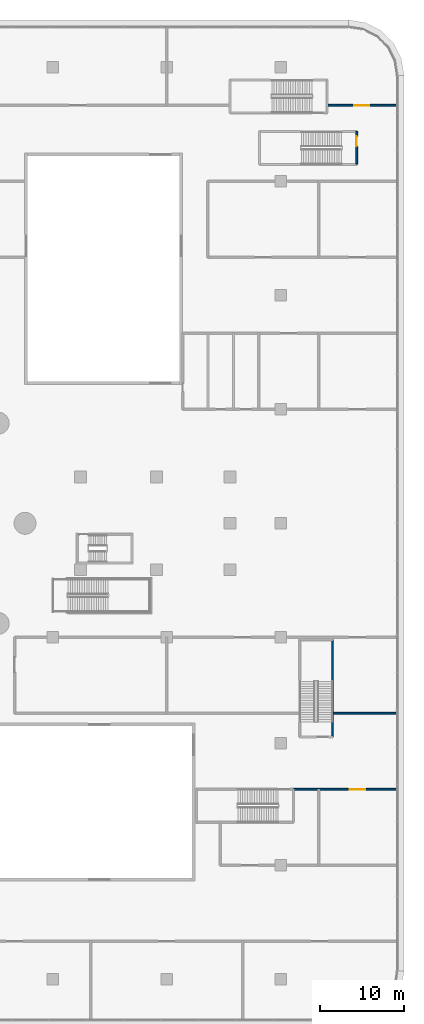
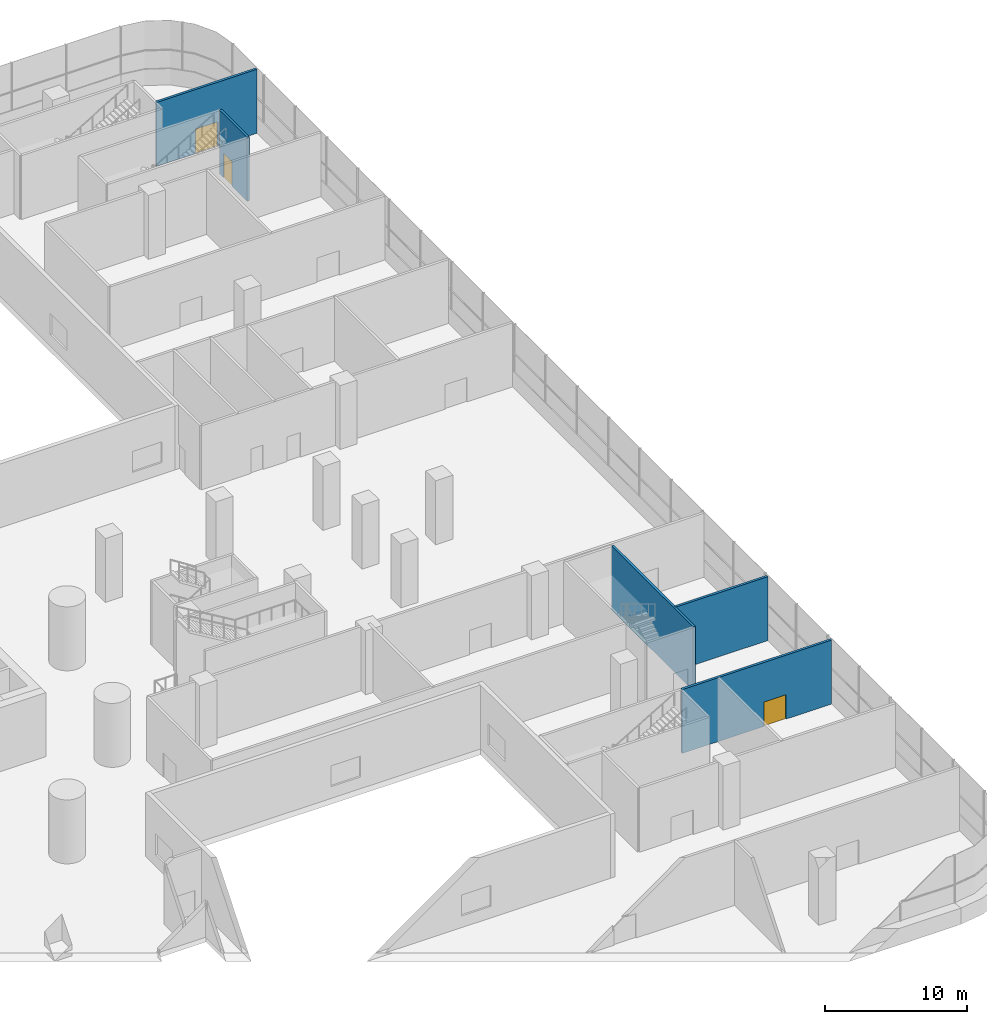
# One storey, part 35 of 52: 5 walls, 3 doors, 3 openings.
"""IFC4 building model written with IfcOpenShell, lengths in metres."""

from ifc_helpers import new_model, si_unit, direction, frame, frame_2d, origin, place, context, subcontext, project, spatial, rectangle, extrude, material, layer, layer_set, type_object, element, fill, save


model = new_model("IFC4")

# Units and contexts
model_context = context("Model", 3, precision=1e-05, world=origin(), true_north=direction((0.0, 1.0)))
body_context = subcontext(model_context, "Body", "Model", "MODEL_VIEW")
ifc_project = project(units=[si_unit("LENGTHUNIT", "METRE"), si_unit("AREAUNIT", "SQUARE_METRE"), si_unit("VOLUMEUNIT", "CUBIC_METRE"), si_unit("PLANEANGLEUNIT", "RADIAN"), si_unit("MASSUNIT", "GRAM", prefix="KILO")], contexts=[model_context])

# Site, building, storey
site_placement = place(None, origin())
site = spatial("IfcSite", under=ifc_project, at=site_placement, CompositionType="ELEMENT")
building_placement = place(site_placement, origin())
building = spatial("IfcBuilding", under=site, at=building_placement, Name="Tamarind Cross Interchange Tower", CompositionType="ELEMENT")
storey_placement = place(building_placement, frame((0.0, 0.0, 9.0)))
storey = spatial("IfcBuildingStorey", under=building, at=storey_placement, Name="L01", CompositionType="ELEMENT", Elevation=9.0)

# Wall, opening, door
ifc_material_1 = material(Name="Masonry partition, fire-rated", Category="masonry")
ifc_layer_1 = layer(ifc_material_1, 0.199951171875)
ifc_layer_set_1 = layer_set([ifc_layer_1], Name="Masonry partition, fire-rated")
wall_type_1 = type_object("IfcWallType", Name="Fire partition 200 EI 120", PredefinedType="PARTITIONING", material=ifc_layer_set_1)
wall_1_placement = place(storey_placement, frame((55.530029296875, -31.5, 0.0), z_axis=(0.0, 0.0, 1.0), x_axis=(1.0, 0.0, 0.0)))
wall_1 = element("IfcWall", 1, at=wall_1_placement, inside=storey, type_object=wall_type_1, Name="L01 partition 113", PredefinedType="PARTITIONING", context=body_context, shape_type="SweptSolid", body=[
    extrude(rectangle(XDim=12.1689453125, YDim=0.199951171875, at=frame_2d((6.08447265625, 0.0))), origin(), (0.0, 0.0, 1.0), 5.5),
])
opening_1_placement = place(wall_1_placement, frame((6.669921875, 0.0, 0.0)))
opening_1 = element("IfcOpeningElement", 2, at=opening_1_placement, cuts=wall_1, Name="Opening DL01-47", PredefinedType="OPENING", context=body_context, shape_type="SweptSolid", body=[
    extrude(rectangle(XDim=1.800048828125, YDim=2.10009765625, at=frame_2d((0.89990234375, 1.050048828125))), frame((0.0, 0.10986328125, 0.0), z_axis=(0.0, -1.0, 0.0), x_axis=(1.0, 0.0, 0.0)), (0.0, 0.0, 1.0), 0.219970703125),
])
ifc_material_2 = material(Name="Steel, fire-resisting", Category="steel")
door_type_1 = type_object("IfcDoorType", Name="Podium door 1800 x 2100 FD60", OperationType="SINGLE_SWING_LEFT", PredefinedType="DOOR", material=ifc_material_2)
door_1_placement = place(opening_1_placement, origin())
door_1 = element("IfcDoor", 3, at=door_1_placement, inside=storey, type_object=door_type_1, Name="L01 door Electronics Store 0132", OperationType="SINGLE_SWING_LEFT", OverallHeight=2.10009765625, OverallWidth=1.800048828125, PredefinedType="DOOR", context=body_context, shape_type="SweptSolid", body=[
    extrude(rectangle(XDim=1.800048828125, YDim=2.10009765625, at=frame_2d((0.89990234375, 1.050048828125))), frame((0.0, 0.02490234375, 0.0), z_axis=(0.0, -1.0, 0.0), x_axis=(1.0, 0.0, 0.0)), (0.0, 0.0, 1.0), 0.050048828125),
])
fill(opening_1, door_1)

wall_2_placement = place(storey_placement, frame((59.530029296875, 49.5, 0.0), z_axis=(0.0, 0.0, 1.0), x_axis=(1.0, 0.0, 0.0)))
wall_2 = element("IfcWall", 4, at=wall_2_placement, inside=storey, type_object=wall_type_1, Name="L01 partition 120", PredefinedType="PARTITIONING", context=body_context, shape_type="SweptSolid", body=[
    extrude(rectangle(XDim=8.1689453125, YDim=0.199951171875, at=frame_2d((4.08447265625, 0.0))), origin(), (0.0, 0.0, 1.0), 5.5),
])
opening_2_placement = place(wall_2_placement, frame((3.169921875, 0.0, 0.0)))
opening_2 = element("IfcOpeningElement", 5, at=opening_2_placement, cuts=wall_2, Name="Opening DL01-21", PredefinedType="OPENING", context=body_context, shape_type="SweptSolid", body=[
    extrude(rectangle(XDim=1.800048828125, YDim=2.10009765625, at=frame_2d((0.89990234375, 1.050048828125))), frame((0.0, 0.10986328125, 0.0), z_axis=(0.0, -1.0, 0.0), x_axis=(1.0, 0.0, 0.0)), (0.0, 0.0, 1.0), 0.219970703125),
])
door_2_placement = place(opening_2_placement, origin())
door_2 = element("IfcDoor", 6, at=door_2_placement, inside=storey, type_object=door_type_1, Name="L01 door Coffee Bar 0107", OperationType="SINGLE_SWING_LEFT", OverallHeight=2.10009765625, OverallWidth=1.800048828125, PredefinedType="DOOR", context=body_context, shape_type="SweptSolid", body=[
    extrude(rectangle(XDim=1.800048828125, YDim=2.10009765625, at=frame_2d((0.89990234375, 1.050048828125))), frame((0.0, 0.02490234375, 0.0), z_axis=(0.0, -1.0, 0.0), x_axis=(1.0, 0.0, 0.0)), (0.0, 0.0, 1.0), 0.050048828125),
])
fill(opening_2, door_2)

# Walls
wall_3_placement = place(storey_placement, frame((60.179931640625, -22.5, 0.0), z_axis=(0.0, 0.0, 1.0), x_axis=(1.0, 0.0, 0.0)))
element("IfcWall", 7, at=wall_3_placement, inside=storey, type_object=wall_type_1, Name="L01 partition 121", PredefinedType="PARTITIONING", context=body_context, shape_type="SweptSolid", body=[
    extrude(rectangle(XDim=7.51904296875, YDim=0.199951171875, at=frame_2d((3.759521484375, 0.0))), origin(), (0.0, 0.0, 1.0), 5.5),
])
ifc_material_3 = material(Name="Concrete C40", Category="concrete")
ifc_layer_2 = layer(ifc_material_3, 0.199951171875)
ifc_layer_set_2 = layer_set([ifc_layer_2], Name="Concrete C40")
wall_type_2 = type_object("IfcWallType", Name="Stair shaft wall 200 EI 180", PredefinedType="PARTITIONING", material=ifc_layer_set_2)
wall_4_placement = place(storey_placement, frame((60.14990234375, -25.300048828125, 0.0), z_axis=(0.0, 0.0, 1.0), x_axis=(0.0, 1.0, 0.0)))
element("IfcWall", 8, at=wall_4_placement, inside=storey, type_object=wall_type_2, Name="L01 stair shaft wall 39", PredefinedType="PARTITIONING", context=body_context, shape_type="SweptSolid", body=[
    extrude(rectangle(XDim=11.5, YDim=0.199951171875, at=frame_2d((5.75, 0.0))), origin(), (0.0, 0.0, 1.0), 5.5),
])

# Wall, opening, door
wall_5_placement = place(storey_placement, frame((63.0, 42.5, 0.0), z_axis=(0.0, 0.0, 1.0), x_axis=(0.0, 1.0, 0.0)))
wall_5 = element("IfcWall", 9, at=wall_5_placement, inside=storey, type_object=wall_type_2, Name="L01 stair shaft wall 48", PredefinedType="PARTITIONING", context=body_context, shape_type="SweptSolid", body=[
    extrude(rectangle(XDim=3.89990234375, YDim=0.199951171875, at=frame_2d((1.949951171875, 0.0))), origin(), (0.0, 0.0, 1.0), 5.5),
])
opening_3_placement = place(wall_5_placement, frame((2.14990234375, 0.0, 0.0)))
opening_3 = element("IfcOpeningElement", 10, at=opening_3_placement, cuts=wall_5, Name="Opening DL01-02", PredefinedType="OPENING", context=body_context, shape_type="SweptSolid", body=[
    extrude(rectangle(XDim=1.199951171875, YDim=2.10009765625, at=frame_2d((0.60009765625, 1.050048828125))), frame((0.0, 0.10986328125, 0.0), z_axis=(0.0, -1.0, 0.0), x_axis=(1.0, 0.0, 0.0)), (0.0, 0.0, 1.0), 0.219970703125),
])
door_type_2 = type_object("IfcDoorType", Name="Podium door 1200 x 2100 FD90", OperationType="SINGLE_SWING_LEFT", PredefinedType="DOOR", material=ifc_material_2)
door_3_placement = place(opening_3_placement, origin())
door_3 = element("IfcDoor", 11, at=door_3_placement, inside=storey, type_object=door_type_2, Name="L01 door Exit Stair PX2", OperationType="SINGLE_SWING_RIGHT", OverallHeight=2.10009765625, OverallWidth=1.199951171875, PredefinedType="DOOR", context=body_context, shape_type="SweptSolid", body=[
    extrude(rectangle(XDim=1.199951171875, YDim=2.10009765625, at=frame_2d((0.60009765625, 1.050048828125))), frame((0.0, 0.02490234375, 0.0), z_axis=(0.0, -1.0, 0.0), x_axis=(1.0, 0.0, 0.0)), (0.0, 0.0, 1.0), 0.050048828125),
])
fill(opening_3, door_3)

save(model, "model.ifc")
